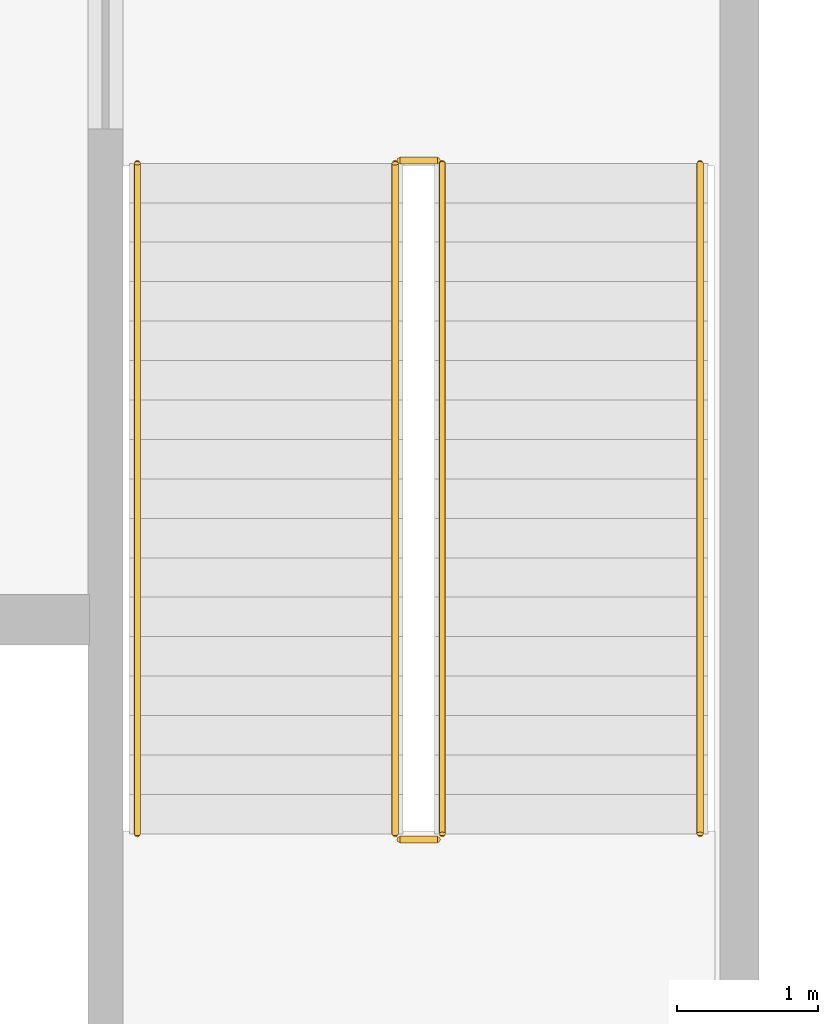
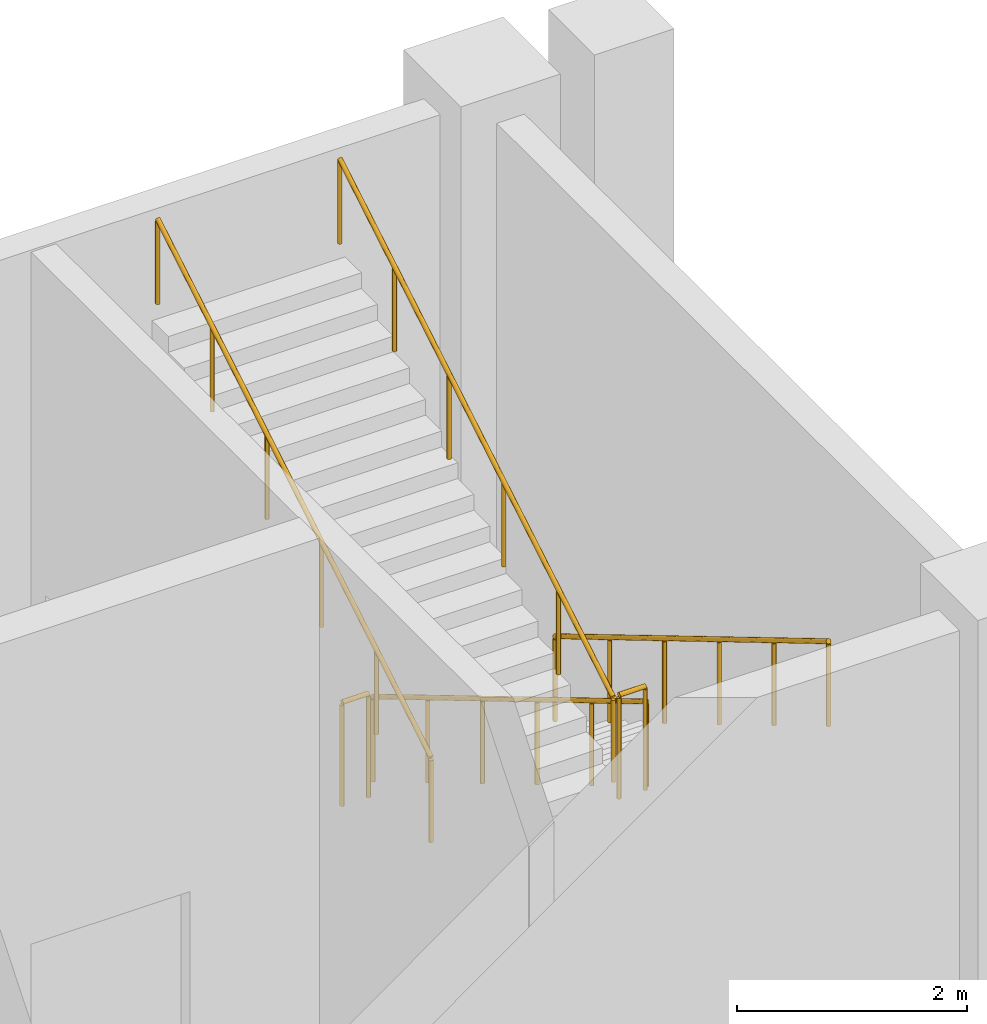
# One storey, part 155 of 159: 6 railings.
"""IFC4 building model written with IfcOpenShell, lengths in metres."""

import ifcopenshell
import ifcopenshell.guid

model = None  # the IFC model being written
_history = None  # IfcOwnerHistory: only IFC2X3 demands one
_inside = {}  # id of a spatial element -> (the spatial element, [elements in it])
_under = {}  # id of a project, library or spatial element -> (it, [spatial elements below it])
_declared = {}  # id of a project -> (the project, [libraries it declares])
_typed = {}  # id of a type object -> (the type object, [elements of that type])
_made_of = {}  # id of a material, layer set ... -> (it, [elements and type objects made of it])


def new_model(schema):
    """Start an empty IFC model of exactly this schema.

    Asked for "IFC4X3", IfcOpenShell would pick the latest addendum, in which some entities
    have other attributes; the version numbers below select the first issue.
    IFC2X3 requires an IfcOwnerHistory on every rooted entity: one is made here for all.
    """
    global model, _history
    if schema == "IFC4X3":
        model = ifcopenshell.file(schema_version=(4, 3, 0, 0))
    else:
        model = ifcopenshell.file(schema=schema)
    _inside.clear()
    _under.clear()
    _declared.clear()
    _typed.clear()
    _made_of.clear()
    _history = None
    if model.schema == "IFC2X3":
        org = make("IfcOrganization", Name="unknown")
        user = make(
            "IfcPersonAndOrganization",
            ThePerson=make("IfcPerson", FamilyName="unknown"),
            TheOrganization=org,
        )
        app = make(
            "IfcApplication",
            ApplicationDeveloper=org,
            Version="unknown",
            ApplicationFullName="unknown",
            ApplicationIdentifier="unknown",
        )
        _history = make(
            "IfcOwnerHistory",
            OwningUser=user,
            OwningApplication=app,
            ChangeAction="ADDED",
            CreationDate=0,
        )
    return model


def make(cls, **values):
    """One entity of the class cls with the attributes given. An attribute that is None is left unset."""
    return model.create_entity(
        cls, **{name: value for name, value in values.items() if value is not None}
    )


def rooted(cls, **values):
    """An entity with a GlobalId (a new one), such as an element, a storey or a relation."""
    return make(cls, GlobalId=ifcopenshell.guid.new(), OwnerHistory=_history, **values)


def si_unit(unit_type, name, prefix=None):
    """IfcSIUnit, for example si_unit("LENGTHUNIT", "METRE", prefix="MILLI")."""
    return make("IfcSIUnit", UnitType=unit_type, Prefix=prefix, Name=name)


def assignment(units):
    """IfcUnitAssignment: the units of a project."""
    return None if units is None else make("IfcUnitAssignment", Units=units)


def point(xyz):
    """IfcCartesianPoint."""
    return None if xyz is None else make("IfcCartesianPoint", Coordinates=xyz)


def direction(xyz):
    """IfcDirection."""
    return None if xyz is None else make("IfcDirection", DirectionRatios=xyz)


def frame(location, z_axis=None, x_axis=None):
    """IfcAxis2Placement3D, a coordinate frame: its origin and axes. An axis left out is left unset."""
    return make(
        "IfcAxis2Placement3D",
        Location=point(location),
        Axis=direction(z_axis),
        RefDirection=direction(x_axis),
    )


def frame_2d(location, x_axis=None):
    """IfcAxis2Placement2D, a coordinate frame in the plane: its origin and x axis."""
    return make(
        "IfcAxis2Placement2D", Location=point(location), RefDirection=direction(x_axis)
    )


def origin():
    """The frame at (0, 0, 0) with its axes left unset."""
    return frame((0.0, 0.0, 0.0))


def origin_2d():
    """The frame at (0, 0) in the plane with its x axis left unset."""
    return frame_2d((0.0, 0.0))


def place(relative_to, where):
    """IfcLocalPlacement: puts the frame where relative to a parent placement (None: the world)."""
    return make(
        "IfcLocalPlacement", PlacementRelTo=relative_to, RelativePlacement=where
    )


def context(
    kind, dimensions, precision=None, world=None, true_north=None, identifier=None
):
    """IfcGeometricRepresentationContext, for example the 3D "Model" context."""
    return make(
        "IfcGeometricRepresentationContext",
        ContextIdentifier=identifier,
        ContextType=kind,
        CoordinateSpaceDimension=dimensions,
        Precision=precision,
        WorldCoordinateSystem=world,
        TrueNorth=true_north,
    )


def subcontext(parent, identifier, kind, view, scale=None):
    """IfcGeometricRepresentationSubContext, for example "Body" below "Model"."""
    return make(
        "IfcGeometricRepresentationSubContext",
        ContextIdentifier=identifier,
        ContextType=kind,
        ParentContext=parent,
        TargetScale=scale,
        TargetView=view,
    )


def project(units=None, contexts=None):
    """IfcProject with its units and contexts."""
    return rooted(
        "IfcProject",
        Name="project",
        RepresentationContexts=contexts,
        UnitsInContext=assignment(units),
    )


def spatial(cls, under=None, at=None, **own):
    """A site, building, storey or space (cls), placed at a placement, below another one or the project."""
    s = rooted(cls, ObjectPlacement=at, **own)
    if under is not None:
        _under.setdefault(under.id(), (under, []))[1].append(s)
    return s


def profile(cls, at=None, kind="AREA", **sizes):
    """A parametric profile (cls). Its sizes go by their IFC names, for example OverallWidth=200.0."""
    return make(cls, ProfileType=kind, Position=at, **sizes)


def circle(**sizes):
    """IfcCircleProfileDef."""
    return profile("IfcCircleProfileDef", **sizes)


def extrude(swept, where, along, depth):
    """IfcExtrudedAreaSolid: the profile swept, set in the frame where, extruded along a direction by depth."""
    return make(
        "IfcExtrudedAreaSolid",
        SweptArea=swept,
        Position=where,
        ExtrudedDirection=direction(along),
        Depth=depth,
    )


def shape(context_of_items, identifier, shape_type, items):
    """IfcShapeRepresentation: the items that make up one representation, for example the "Body"."""
    return make(
        "IfcShapeRepresentation",
        ContextOfItems=context_of_items,
        RepresentationIdentifier=identifier,
        RepresentationType=shape_type,
        Items=items,
    )


def material(Name=None, Category=None):
    """IfcMaterial."""
    return make("IfcMaterial", Name=Name, Category=Category)


def made_of(thing, what):
    """Note that an element or type object is made of a material, layer set ...; save() writes the relation."""
    if what is not None:
        _made_of.setdefault(what.id(), (what, []))[1].append(thing)
    return thing


def type_object(cls, material=None, **own):
    """A type object (cls), such as IfcWallType, which elements share."""
    return made_of(rooted(cls, **own), material)


def element(
    cls,
    number,
    at=None,
    inside=None,
    cuts=None,
    type_object=None,
    material=None,
    context=None,
    identifier="Body",
    shape_type=None,
    held_by="IfcProductDefinitionShape",
    body=None,
    shapes=None,
    **own,
):
    """One element of the class cls, such as IfcWall. Its Tag is "e" and its number.

    at: its placement. inside: the storey or other place that contains it. cuts: it is an
    opening in that element (IfcRelVoidsElement). A single representation is given by context,
    identifier, shape_type and body (its items); several are given by shapes. held_by: the class
    of the entity that holds the representations. save() writes the other relations.
    """
    e = rooted(cls, Tag="e%d" % number, ObjectPlacement=at, **own)
    if body is not None:
        shapes = [shape(context, identifier, shape_type, body)]
    if shapes is not None:
        e.Representation = make(held_by, Representations=shapes)
    if inside is not None:
        _inside.setdefault(inside.id(), (inside, []))[1].append(e)
    if cuts is not None:
        rooted(
            "IfcRelVoidsElement", RelatingBuildingElement=cuts, RelatedOpeningElement=e
        )
    if type_object is not None:
        _typed.setdefault(type_object.id(), (type_object, []))[1].append(e)
    return made_of(e, material)


def aggregate(whole, parts):
    """IfcRelAggregates: a whole, such as a stair, and the parts it consists of."""
    return rooted("IfcRelAggregates", RelatingObject=whole, RelatedObjects=parts)


def save(model, path):
    """Write the relations noted so far, then the file.

    IfcRelAggregates (storeys below a building ...), IfcRelContainedInSpatialStructure (elements
    in a storey), IfcRelDefinesByType, IfcRelAssociatesMaterial and IfcRelDeclares: one each for
    every whole, place, type object, material and project.
    """
    for whole, parts in _under.values():
        aggregate(whole, parts)
    for where, things in _inside.values():
        rooted(
            "IfcRelContainedInSpatialStructure",
            RelatedElements=things,
            RelatingStructure=where,
        )
    for kind, things in _typed.values():
        rooted("IfcRelDefinesByType", RelatedObjects=things, RelatingType=kind)
    for what, things in _made_of.values():
        rooted("IfcRelAssociatesMaterial", RelatedObjects=things, RelatingMaterial=what)
    for by, libraries in _declared.values():
        rooted("IfcRelDeclares", RelatingContext=by, RelatedDefinitions=libraries)
    model.write(path)


model = new_model("IFC4")

# Units and contexts
model_context = context("Model", 3, precision=1e-05, world=origin(), true_north=direction((0.0, 1.0)))
body_context = subcontext(model_context, "Body", "Model", "MODEL_VIEW")
ifc_project = project(units=[si_unit("LENGTHUNIT", "METRE"), si_unit("AREAUNIT", "SQUARE_METRE"), si_unit("VOLUMEUNIT", "CUBIC_METRE"), si_unit("PLANEANGLEUNIT", "RADIAN"), si_unit("MASSUNIT", "GRAM", prefix="KILO")], contexts=[model_context])

# Site, building, storey
site_placement = place(None, origin())
site = spatial("IfcSite", under=ifc_project, at=site_placement, CompositionType="ELEMENT")
building_placement = place(site_placement, origin())
building = spatial("IfcBuilding", under=site, at=building_placement, Name="Cazmaro Siding Exhibition Halls", CompositionType="ELEMENT")
storey_placement = place(building_placement, frame((0.0, 0.0, 6.0)))
storey = spatial("IfcBuildingStorey", under=building, at=storey_placement, Name="L01", CompositionType="ELEMENT", Elevation=6.0)

# Railings
ifc_material_1 = material(Name="Painted Steel Stairwell Guardrail", Category="steel")
railing_type_1 = type_object("IfcRailingType", Name="RL-GRD-01", PredefinedType="GUARDRAIL", material=ifc_material_1)
for number, where, name in (
    (1, (203.389892578125, 51.860107421875, 0.0), "Core C5 L01 Landing Slot Guard RL-GRD-01 RL-SG018"),
    (2, (203.389892578125, 47.0400390625, 3.0), "ST-10 Mid-Landing Slot Guard RL-GRD-01 RL-SG019"),
):
    element("IfcRailing", number, at=place(storey_placement, frame(where)), inside=storey, type_object=railing_type_1, Name=name, PredefinedType="GUARDRAIL", context=body_context, shape_type="SweptSolid", body=[
        extrude(circle(Radius=0.02392578125, at=origin_2d()), frame((0.0, 0.0, 1.09619140625), z_axis=(1.0, 0.0, 0.0), x_axis=(0.0, 1.0, 0.0)), (0.0, 0.0, 1.0), 0.26513671875),
        extrude(circle(Radius=0.02099609375, at=origin_2d()), origin(), (0.0, 0.0, 1.0), 1.072021484375),
        extrude(circle(Radius=0.02099609375, at=origin_2d()), frame((0.26513671875, 0.0, 0.0)), (0.0, 0.0, 1.0), 1.072021484375),
    ])
ifc_material_2 = material(Name="Brushed Stainless Steel Tubular Handrail", Category="steel")
railing_type_2 = type_object("IfcRailingType", Name="RL-HR-01", PredefinedType="HANDRAIL", material=ifc_material_2)
railing_1_placement = place(storey_placement, frame((203.68994140625, 51.840087890625, 0.1669921875)))
element("IfcRailing", 3, at=railing_1_placement, inside=storey, type_object=railing_type_2, Name="ST-10 Flight 1 Handrail 1", PredefinedType="HANDRAIL", context=body_context, shape_type="SweptSolid", body=[
    extrude(circle(Radius=0.02392578125, at=origin_2d()), frame((0.0, 0.0, 0.89599609375), z_axis=(0.0, -0.859319172962, 0.511439692417), x_axis=(1.0, 0.0, 0.0)), (0.0, 0.0, 1.0), 5.539306640625),
    extrude(circle(Radius=0.02099609375, at=origin_2d()), origin(), (0.0, 0.0, 1.0), 0.871826171875),
    extrude(circle(Radius=0.02099609375, at=origin_2d()), frame((0.0, -0.951904296875, 0.566650390625)), (0.0, 0.0, 1.0), 0.871826171875),
    extrude(circle(Radius=0.02099609375, at=origin_2d()), frame((0.0, -1.904052734375, 1.13330078125)), (0.0, 0.0, 1.0), 0.871826171875),
    extrude(circle(Radius=0.02099609375, at=origin_2d()), frame((0.0, -2.85595703125, 1.69970703125)), (0.0, 0.0, 1.0), 0.871826171875),
    extrude(circle(Radius=0.02099609375, at=origin_2d()), frame((0.0, -3.80810546875, 2.266357421875)), (0.0, 0.0, 1.0), 0.871826171875),
    extrude(circle(Radius=0.02099609375, at=origin_2d()), frame((0.0, -4.760009765625, 2.8330078125)), (0.0, 0.0, 1.0), 0.871826171875),
])
railing_2_placement = place(storey_placement, frame((201.52490234375, 47.080078125, 3.1669921875)))
element("IfcRailing", 4, at=railing_2_placement, inside=storey, type_object=railing_type_2, Name="ST-10 Flight 2 Handrail 1", PredefinedType="HANDRAIL", context=body_context, shape_type="SweptSolid", body=[
    extrude(circle(Radius=0.02392578125, at=origin_2d()), frame((0.0, 0.0, 0.89599609375), z_axis=(0.0, 0.859319172962, 0.511439692417), x_axis=(-1.0, 0.0, 0.0)), (0.0, 0.0, 1.0), 5.539306640625),
    extrude(circle(Radius=0.02099609375, at=origin_2d()), origin(), (0.0, 0.0, 1.0), 0.871826171875),
    extrude(circle(Radius=0.02099609375, at=origin_2d()), frame((0.0, 0.951904296875, 0.566650390625)), (0.0, 0.0, 1.0), 0.871826171875),
    extrude(circle(Radius=0.02099609375, at=origin_2d()), frame((0.0, 1.904052734375, 1.13330078125)), (0.0, 0.0, 1.0), 0.871826171875),
    extrude(circle(Radius=0.02099609375, at=origin_2d()), frame((0.0, 2.85595703125, 1.69970703125)), (0.0, 0.0, 1.0), 0.871826171875),
    extrude(circle(Radius=0.02099609375, at=origin_2d()), frame((0.0, 3.80810546875, 2.266357421875)), (0.0, 0.0, 1.0), 0.871826171875),
    extrude(circle(Radius=0.02099609375, at=origin_2d()), frame((0.0, 4.760009765625, 2.8330078125)), (0.0, 0.0, 1.0), 0.871826171875),
])
railing_3_placement = place(storey_placement, frame((205.52001953125, 51.840087890625, 0.1669921875)))
element("IfcRailing", 5, at=railing_3_placement, inside=storey, type_object=railing_type_2, Name="ST-10 Flight 1 Handrail 2", PredefinedType="HANDRAIL", context=body_context, shape_type="SweptSolid", body=[
    extrude(circle(Radius=0.02392578125, at=origin_2d()), frame((0.0, 0.0, 0.89599609375), z_axis=(0.0, -0.859319172962, 0.511439692417), x_axis=(1.0, 0.0, 0.0)), (0.0, 0.0, 1.0), 5.539306640625),
    extrude(circle(Radius=0.02099609375, at=origin_2d()), origin(), (0.0, 0.0, 1.0), 0.871826171875),
    extrude(circle(Radius=0.02099609375, at=origin_2d()), frame((0.0, -0.951904296875, 0.566650390625)), (0.0, 0.0, 1.0), 0.871826171875),
    extrude(circle(Radius=0.02099609375, at=origin_2d()), frame((0.0, -1.904052734375, 1.13330078125)), (0.0, 0.0, 1.0), 0.871826171875),
    extrude(circle(Radius=0.02099609375, at=origin_2d()), frame((0.0, -2.85595703125, 1.69970703125)), (0.0, 0.0, 1.0), 0.871826171875),
    extrude(circle(Radius=0.02099609375, at=origin_2d()), frame((0.0, -3.80810546875, 2.266357421875)), (0.0, 0.0, 1.0), 0.871826171875),
    extrude(circle(Radius=0.02099609375, at=origin_2d()), frame((0.0, -4.760009765625, 2.8330078125)), (0.0, 0.0, 1.0), 0.871826171875),
])
railing_4_placement = place(storey_placement, frame((203.35498046875, 47.080078125, 3.1669921875)))
element("IfcRailing", 6, at=railing_4_placement, inside=storey, type_object=railing_type_2, Name="ST-10 Flight 2 Handrail 2", PredefinedType="HANDRAIL", context=body_context, shape_type="SweptSolid", body=[
    extrude(circle(Radius=0.02392578125, at=origin_2d()), frame((0.0, 0.0, 0.89599609375), z_axis=(0.0, 0.859319172962, 0.511439692417), x_axis=(-1.0, 0.0, 0.0)), (0.0, 0.0, 1.0), 5.539306640625),
    extrude(circle(Radius=0.02099609375, at=origin_2d()), origin(), (0.0, 0.0, 1.0), 0.871826171875),
    extrude(circle(Radius=0.02099609375, at=origin_2d()), frame((0.0, 0.951904296875, 0.566650390625)), (0.0, 0.0, 1.0), 0.871826171875),
    extrude(circle(Radius=0.02099609375, at=origin_2d()), frame((0.0, 1.904052734375, 1.13330078125)), (0.0, 0.0, 1.0), 0.871826171875),
    extrude(circle(Radius=0.02099609375, at=origin_2d()), frame((0.0, 2.85595703125, 1.69970703125)), (0.0, 0.0, 1.0), 0.871826171875),
    extrude(circle(Radius=0.02099609375, at=origin_2d()), frame((0.0, 3.80810546875, 2.266357421875)), (0.0, 0.0, 1.0), 0.871826171875),
    extrude(circle(Radius=0.02099609375, at=origin_2d()), frame((0.0, 4.760009765625, 2.8330078125)), (0.0, 0.0, 1.0), 0.871826171875),
])

save(model, "model.ifc")
